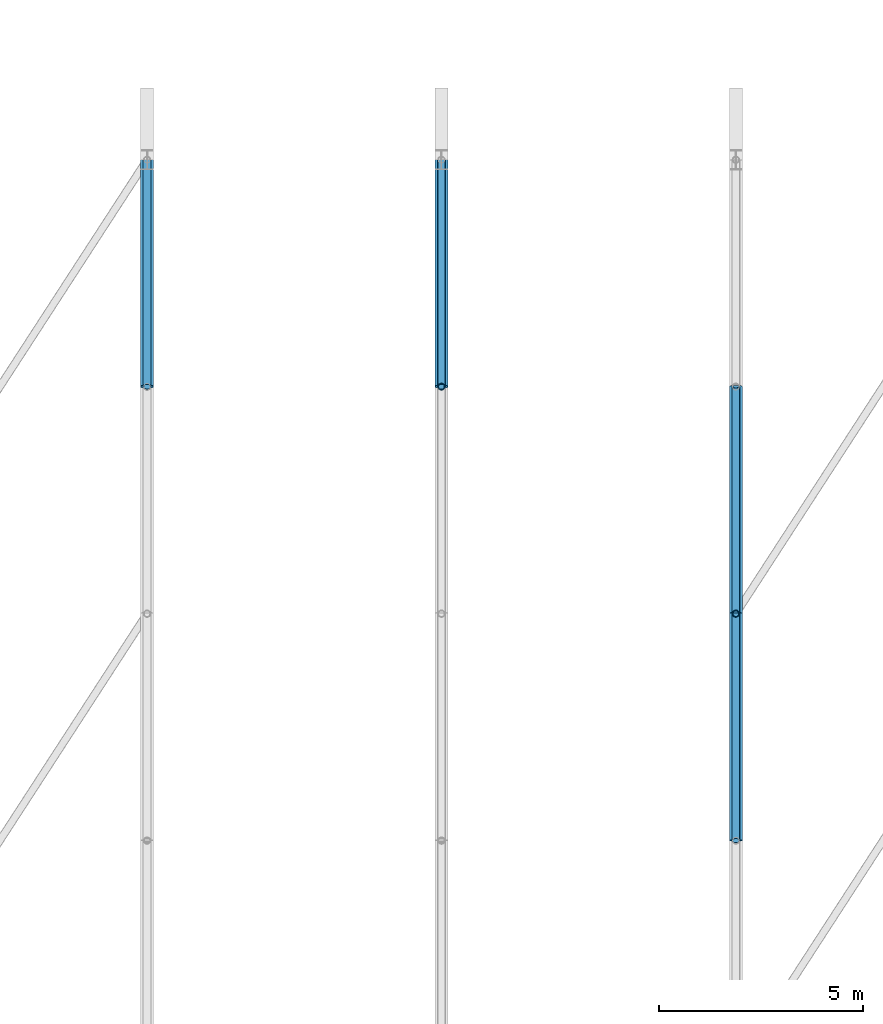
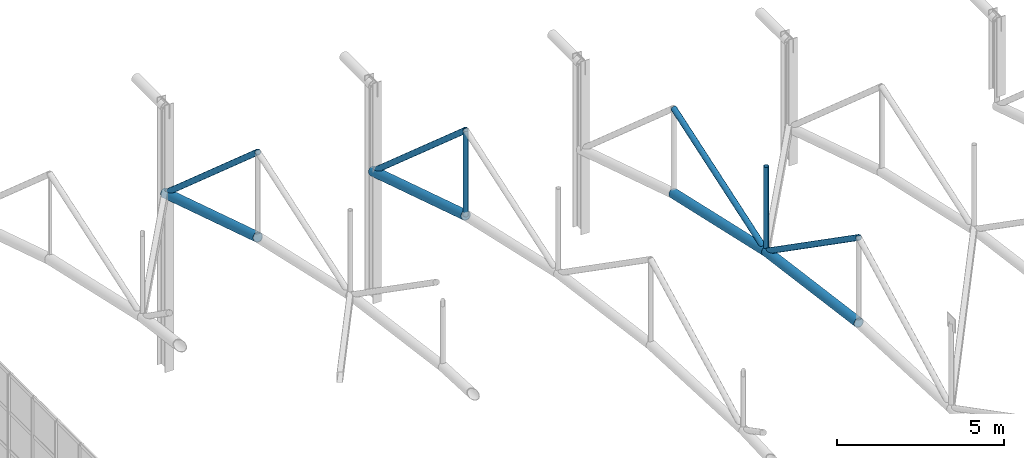
# One storey, part 54 of 153: 10 members.
"""IFC4 building model written with IfcOpenShell, lengths in metres."""

from ifc_helpers import new_model, si_unit, derived_unit, direction, frame, origin, origin_2d, place, context, subcontext, project, spatial, hollow_circle, extrude, material, material_profile, profile_set, type_object, element, save


model = new_model("IFC4")

# Units and contexts
model_context = context("Model", 3, precision=1e-05, world=origin(), true_north=direction((0.0, 1.0)))
body_context = subcontext(model_context, "Body", "Model", "MODEL_VIEW")
ifc_project = project(units=[si_unit("LENGTHUNIT", "METRE"), si_unit("AREAUNIT", "SQUARE_METRE"), si_unit("VOLUMEUNIT", "CUBIC_METRE"), si_unit("PLANEANGLEUNIT", "RADIAN"), si_unit("MASSUNIT", "GRAM", prefix="KILO"), derived_unit("THERMALTRANSMITTANCEUNIT", [(si_unit("POWERUNIT", "WATT"), 1), (si_unit("LENGTHUNIT", "METRE"), -2), (si_unit("THERMODYNAMICTEMPERATUREUNIT", "KELVIN"), -1)])], contexts=[model_context])

# Site, building, storey
site_placement = place(None, origin())
site = spatial("IfcSite", under=ifc_project, at=site_placement, CompositionType="ELEMENT")
building_placement = place(site_placement, origin())
building = spatial("IfcBuilding", under=site, at=building_placement, Name="Keldorne Ridge Multi-Sports Centre", CompositionType="ELEMENT")
storey_placement = place(building_placement, frame((0.0, 0.0, 9.60009765625)))
storey = spatial("IfcBuildingStorey", under=building, at=storey_placement, Name="L02", CompositionType="ELEMENT", Elevation=9.60009765625)

# Members
ifc_material = material(Name="Steel S355", Category="steel")
ifc_material_profile_1 = material_profile(ifc_material, hollow_circle(Radius=0.161865234375, WallThickness=0.01611328125, at=origin_2d()), Name="CHS 323.9x16")
ifc_profile_set_1 = profile_set([ifc_material_profile_1], Name="Steel S355")
member_type_1 = type_object("IfcMemberType", Name="MEM-TC-02", PredefinedType="CHORD", material=ifc_profile_set_1)
for number, where, z_axis, x_axis, name in (
    (1, (13.199951171875, 48.449951171875, 8.1298828125), (0.0, 0.953713189214, -0.300717729305), (-1.0, 0.0, 0.0), "Main Hall ROOF TRUSS AT-02 bottom chord 8"),
    (2, (20.39990234375, 48.449951171875, 6.409912109375), (0.0, 0.953713189214, -0.300717729305), (-1.0, 0.0, 0.0), "Main Hall ROOF TRUSS AT-03 bottom chord 8"),
):
    element("IfcMember", number, at=place(storey_placement, frame(where, z_axis=z_axis, x_axis=x_axis)), inside=storey, type_object=member_type_1, Name=name, PredefinedType="CHORD", context=body_context, shape_type="SweptSolid", body=[
        extrude(hollow_circle(Radius=0.161865234375, WallThickness=0.01611328125, at=origin_2d()), origin(), (0.0, 0.0, 1.0), 5.8193359375),
    ])
member_1_placement = place(storey_placement, frame((27.60009765625, 37.35009765625, 6.68994140625), z_axis=(0.0, 0.990991804939, -0.133922524405), x_axis=(-1.0, 0.0, 0.0)))
element("IfcMember", 3, at=member_1_placement, inside=storey, type_object=member_type_1, Name="Main Hall ROOF TRUSS AT-04 bottom chord 6", PredefinedType="CHORD", context=body_context, shape_type="SweptSolid", body=[
    extrude(hollow_circle(Radius=0.161865234375, WallThickness=0.01611328125, at=origin_2d()), origin(), (0.0, 0.0, 1.0), 5.600341796875),
])
member_2_placement = place(storey_placement, frame((27.60009765625, 42.89990234375, 5.93994140625), z_axis=(0.0, 0.975563092904, -0.219719484259), x_axis=(-1.0, 0.0, 0.0)))
element("IfcMember", 4, at=member_2_placement, inside=storey, type_object=member_type_1, Name="Main Hall ROOF TRUSS AT-04 bottom chord 7", PredefinedType="CHORD", context=body_context, shape_type="SweptSolid", body=[
    extrude(hollow_circle(Radius=0.161865234375, WallThickness=0.01611328125, at=origin_2d()), origin(), (0.0, 0.0, 1.0), 5.68896484375),
])
ifc_material_profile_2 = material_profile(ifc_material, hollow_circle(Radius=0.096923828125, WallThickness=0.010009765625, at=origin_2d()), Name="CHS 193.7x10")
ifc_profile_set_2 = profile_set([ifc_material_profile_2], Name="Steel S355")
member_type_2 = type_object("IfcMemberType", Name="MEM-TD-01", PredefinedType="BRACE", material=ifc_profile_set_2)
for number, where, z_axis, x_axis, name in (
    (5, (13.199951171875, 48.449951171875, 11.25), (0.0, 0.751648102264, -0.659564348918), (-1.0, 0.0, 0.0), "Main Hall ROOF TRUSS AT-02 diagonal 8"),
    (6, (20.39990234375, 48.449951171875, 9.52978515625), (0.0, 0.751664494299, -0.659545667874), (-1.0, 0.0, 0.0), "Main Hall ROOF TRUSS AT-03 diagonal 8"),
):
    element("IfcMember", number, at=place(storey_placement, frame(where, z_axis=z_axis, x_axis=x_axis)), inside=storey, type_object=member_type_2, Name=name, PredefinedType="BRACE", context=body_context, shape_type="SweptSolid", body=[
        extrude(hollow_circle(Radius=0.096923828125, WallThickness=0.010009765625, at=origin_2d()), origin(), (0.0, 0.0, 1.0), 7.3837890625),
    ])
member_3_placement = place(storey_placement, frame((27.60009765625, 37.35009765625, 9.809814453125), z_axis=(0.0, 0.820271449663, -0.571974430257), x_axis=(-1.0, 0.0, 0.0)))
element("IfcMember", 7, at=member_3_placement, inside=storey, type_object=member_type_2, Name="Main Hall ROOF TRUSS AT-04 diagonal 6", PredefinedType="BRACE", context=body_context, shape_type="SweptSolid", body=[
    extrude(hollow_circle(Radius=0.096923828125, WallThickness=0.010009765625, at=origin_2d()), origin(), (0.0, 0.0, 1.0), 6.765869140625),
])
member_4_placement = place(storey_placement, frame((27.60009765625, 42.89990234375, 5.93994140625), z_axis=(0.0, 0.947661237718, 0.319277588514), x_axis=(-1.0, 0.0, 0.0)))
element("IfcMember", 8, at=member_4_placement, inside=storey, type_object=member_type_2, Name="Main Hall ROOF TRUSS AT-04 diagonal 7", PredefinedType="BRACE", context=body_context, shape_type="SweptSolid", body=[
    extrude(hollow_circle(Radius=0.096923828125, WallThickness=0.010009765625, at=origin_2d()), origin(), (0.0, 0.0, 1.0), 5.856689453125),
])
ifc_material_profile_3 = material_profile(ifc_material, hollow_circle(Radius=0.084228515625, WallThickness=0.010009765625, at=origin_2d()), Name="CHS 168.3x10")
ifc_profile_set_3 = profile_set([ifc_material_profile_3], Name="Steel S355")
member_type_3 = type_object("IfcMemberType", Name="MEM-TV-01", PredefinedType="STRUT", material=ifc_profile_set_3)
for number, where, z_axis, x_axis, name in (
    (9, (20.39990234375, 48.449951171875, 6.409912109375), (0.0, 0.0, 1.0), (1.0, 0.0, 0.0), "Main Hall ROOF TRUSS AT-03 vertical 8"),
    (10, (27.60009765625, 42.89990234375, 5.93994140625), (0.0, 0.0, 1.0), (1.0, 0.0, 0.0), "Main Hall ROOF TRUSS AT-04 vertical 7"),
):
    element("IfcMember", number, at=place(storey_placement, frame(where, z_axis=z_axis, x_axis=x_axis)), inside=storey, type_object=member_type_3, Name=name, PredefinedType="STRUT", context=body_context, shape_type="SweptSolid", body=[
        extrude(hollow_circle(Radius=0.084228515625, WallThickness=0.010009765625, at=origin_2d()), origin(), (0.0, 0.0, 1.0), 3.119873046875),
    ])

save(model, "model.ifc")
